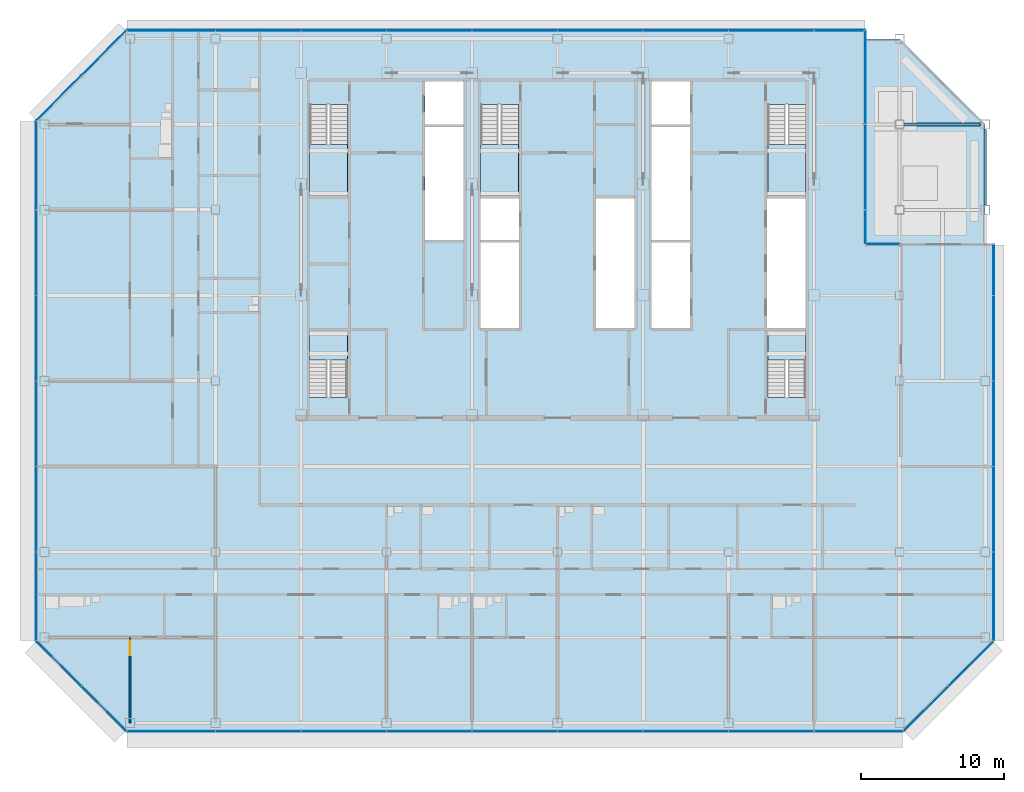
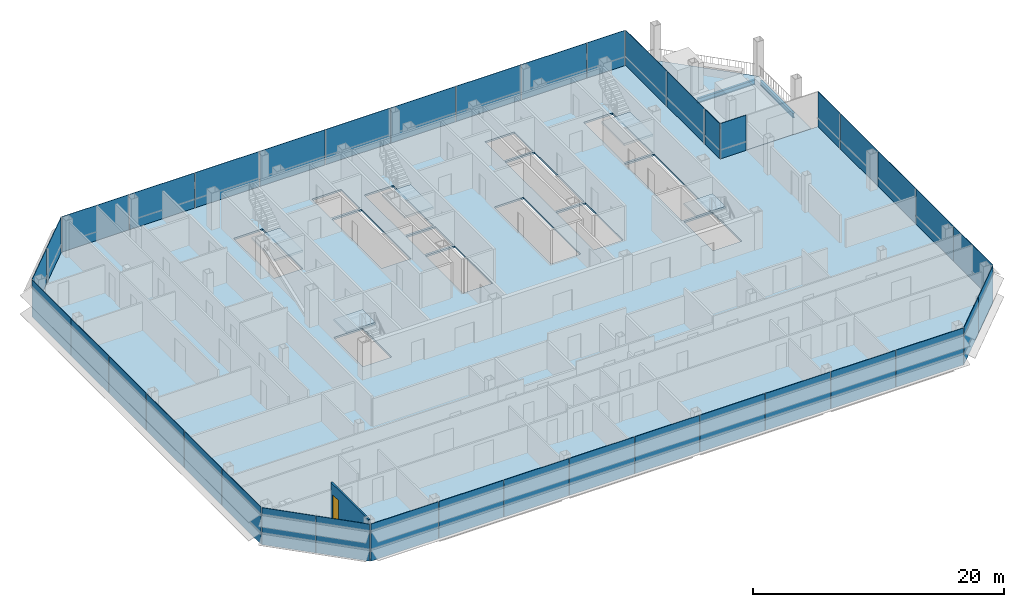
# One storey, part 19 of 29: 39 plates, 7 slabs, 2 beams, 1 door, 1 wall, 1 opening, 14 elements without a shape of their own.
"""IFC4 building model written with IfcOpenShell, lengths in metres."""

from ifc_helpers import new_model, si_unit, direction, frame, frame_2d, origin, origin_2d, place, context, subcontext, project, spatial, polyline, rectangle, i_section, outline, extrude, material, layer, layer_set, material_profile, profile_set, type_object, element, fill, aggregate, save


model = new_model("IFC4")

# Units and contexts
model_context = context("Model", 3, precision=1e-05, world=origin(), true_north=direction((0.0, 1.0)))
body_context = subcontext(model_context, "Body", "Model", "MODEL_VIEW")
ifc_project = project(units=[si_unit("LENGTHUNIT", "METRE"), si_unit("AREAUNIT", "SQUARE_METRE"), si_unit("VOLUMEUNIT", "CUBIC_METRE"), si_unit("PLANEANGLEUNIT", "RADIAN"), si_unit("MASSUNIT", "GRAM", prefix="KILO")], contexts=[model_context])

# Site, building, storey
site_placement = place(None, origin())
site = spatial("IfcSite", under=ifc_project, at=site_placement, CompositionType="ELEMENT")
building_placement = place(site_placement, origin())
building = spatial("IfcBuilding", under=site, at=building_placement, Name="Sorahane Residences", CompositionType="ELEMENT")
storey_placement = place(building_placement, frame((0.0, 0.0, 199.199951171875)))
storey = spatial("IfcBuildingStorey", under=building, at=storey_placement, Name="L46", CompositionType="ELEMENT", Elevation=199.199951171875)

# Beams
ifc_material_1 = material(Name="Steel Q355B", Category="steel")
ifc_material_profile = material_profile(ifc_material_1, i_section(OverallWidth=0.199951171875, OverallDepth=0.449951171875, WebThickness=0.009033203125, FlangeThickness=0.013916015625, FilletRadius=0.02001953125, at=origin_2d()), Name="HN 450x200x9x14")
ifc_profile_set = profile_set([ifc_material_profile], Name="Steel Q355B")
beam_type = type_object("IfcBeamType", Name="Steel floor beam HN 450x200x9x14 Q355B", PredefinedType="BEAM", material=ifc_profile_set)
beam_1_placement = place(storey_placement, frame((54.0, 36.35009765625, -0.405029296875), z_axis=(0.0, 1.0, 0.0), x_axis=(-1.0, 0.0, 0.0)))
element("IfcBeam", 1, at=beam_1_placement, inside=storey, type_object=beam_type, Name="Beam L46 064", PredefinedType="BEAM", context=body_context, shape_type="SweptSolid", body=[
    extrude(i_section(OverallWidth=0.199951171875, OverallDepth=0.449951171875, WebThickness=0.009033203125, FlangeThickness=0.013916015625, FilletRadius=0.02001953125, at=origin_2d()), origin(), (0.0, 0.0, 1.0), 5.2998046875),
])
beam_2_placement = place(storey_placement, frame((48.324951171875, 42.0, -0.405029296875), z_axis=(1.0, 0.0, 0.0), x_axis=(0.0, 1.0, 0.0)))
element("IfcBeam", 2, at=beam_2_placement, inside=storey, type_object=beam_type, Name="Beam L46 088", PredefinedType="BEAM", context=body_context, shape_type="SweptSolid", body=[
    extrude(i_section(OverallWidth=0.199951171875, OverallDepth=0.449951171875, WebThickness=0.009033203125, FlangeThickness=0.013916015625, FilletRadius=0.02001953125, at=origin_2d()), origin(), (0.0, 0.0, 1.0), 5.324951171875),
])

# Slab
ifc_material_2 = material(Name="Concrete C35", Category="concrete")
ifc_layer_1 = layer(ifc_material_2, 0.179931640625)
ifc_layer_set_1 = layer_set([ifc_layer_1], Name="Composite floor slab 180 mm Concrete C35")
slab_type_1 = type_object("IfcSlabType", Name="Composite floor slab 180 mm Concrete C35", PredefinedType="FLOOR", material=ifc_layer_set_1)
slab_1_placement = place(storey_placement, frame((0.0, 0.0, -0.179931640625)))
element("IfcSlab", 3, at=slab_1_placement, inside=storey, type_object=slab_type_1, Name="Slab L46", PredefinedType="FLOOR", context=body_context, shape_type="SweptSolid", body=[
    extrude(outline(polyline([(54.60009765625, 5.75146484375), (48.24853515625, -0.60009765625), (-6.24853515625, -0.60009765625), (-12.60009765625, 5.75146484375), (-12.60009765625, 42.24853515625), (-6.24853515625, 48.60009765625), (45.60009765625, 48.60009765625), (45.60009765625, 33.60009765625), (54.60009765625, 33.60009765625), (54.60009765625, 5.75146484375)]), holes=[polyline([(18.60009765625, 27.699951171875), (21.300048828125, 27.699951171875), (21.300048828125, 33.699951171875), (18.60009765625, 33.699951171875), (18.60009765625, 27.699951171875)]), polyline([(38.699951171875, 27.699951171875), (41.39990234375, 27.699951171875), (41.39990234375, 36.800048828125), (38.699951171875, 36.800048828125), (38.699951171875, 27.699951171875)]), polyline([(30.60009765625, 27.699951171875), (33.300048828125, 27.699951171875), (33.300048828125, 33.699951171875), (30.60009765625, 33.699951171875), (30.60009765625, 27.699951171875)]), polyline([(30.60009765625, 42.0), (33.300048828125, 42.0), (33.300048828125, 45.0), (30.60009765625, 45.0), (30.60009765625, 42.0)]), polyline([(14.699951171875, 42.0), (17.39990234375, 42.0), (17.39990234375, 45.0), (14.699951171875, 45.0), (14.699951171875, 42.0)]), polyline([(6.60009765625, 43.39990234375), (6.60009765625, 37.0), (9.25, 37.0), (9.25, 43.39990234375), (6.60009765625, 43.39990234375)]), polyline([(38.75, 43.39990234375), (38.75, 37.0), (41.39990234375, 37.0), (41.39990234375, 43.39990234375), (38.75, 43.39990234375)]), polyline([(18.60009765625, 43.39990234375), (18.60009765625, 37.0), (21.25, 37.0), (21.25, 43.39990234375), (18.60009765625, 43.39990234375)]), polyline([(9.25, 22.85009765625), (9.25, 27.5), (6.60009765625, 27.5), (6.60009765625, 22.85009765625), (9.25, 22.85009765625)]), polyline([(41.39990234375, 22.85009765625), (41.39990234375, 27.5), (38.75, 27.5), (38.75, 22.85009765625), (41.39990234375, 22.85009765625)]), polyline([(14.699951171875, 33.89990234375), (17.39990234375, 33.89990234375), (17.39990234375, 41.800048828125), (14.699951171875, 41.800048828125), (14.699951171875, 33.89990234375)]), polyline([(30.60009765625, 33.89990234375), (33.300048828125, 33.89990234375), (33.300048828125, 41.800048828125), (30.60009765625, 41.800048828125), (30.60009765625, 33.89990234375)]), polyline([(18.60009765625, 33.89990234375), (21.300048828125, 33.89990234375), (21.300048828125, 36.800048828125), (18.60009765625, 36.800048828125), (18.60009765625, 33.89990234375)]), polyline([(26.699951171875, 27.699951171875), (29.39990234375, 27.699951171875), (29.39990234375, 36.800048828125), (26.699951171875, 36.800048828125), (26.699951171875, 27.699951171875)])]), origin(), (0.0, 0.0, 1.0), 0.179931640625),
])

# Curtain wall, plates
ifc_material_3 = material(Name="Dark low-e glass and black anodised aluminium", Category="aluminium")
curtain_wall_type_1 = type_object("IfcCurtainWallType", Name="Curtain wall CW-1 Typical unitised wall", PredefinedType="NOTDEFINED", material=ifc_material_3)
curtain_wall_1_placement = place(storey_placement, origin())
curtain_wall_1 = element("IfcCurtainWall", 4, at=curtain_wall_1_placement, inside=storey, type_object=curtain_wall_type_1, Name="CW-1 curtain wall L46 E1", PredefinedType="NOTDEFINED")
ifc_material_4 = material(Name="Dark low-e glass with black ceramic frit", Category="glass")
ifc_layer_2 = layer(ifc_material_4, 0.0400390625)
ifc_layer_set_2 = layer_set([ifc_layer_2], Name="Curtain wall glass panel dark low-e with black frit spandrel band")
plate_type = type_object("IfcPlateType", Name="Curtain wall glass panel dark low-e with black frit spandrel band", PredefinedType="CURTAIN_PANEL", material=ifc_layer_set_2)
plate_1_placement = place(storey_placement, frame((54.60009765625, 8.88818359375, -0.179931640625), z_axis=(0.0, 0.0, 1.0), x_axis=(0.0, 1.0, 0.0)))
plate_1 = element("IfcPlate", 5, at=plate_1_placement, type_object=plate_type, Name="CW-1 glass panel L46 E1.1", PredefinedType="CURTAIN_PANEL", context=body_context, shape_type="SweptSolid", body=[
    extrude(rectangle(XDim=6.173583984375, YDim=0.0400390625, at=origin_2d()), origin(), (0.0, 0.0, 1.0), 3.60009765625),
])
plate_2_placement = place(storey_placement, frame((54.60009765625, 15.0, -0.179931640625), z_axis=(0.0, 0.0, 1.0), x_axis=(0.0, 1.0, 0.0)))
plate_2 = element("IfcPlate", 6, at=plate_2_placement, type_object=plate_type, Name="CW-1 glass panel L46 E1.2", PredefinedType="CURTAIN_PANEL", context=body_context, shape_type="SweptSolid", body=[
    extrude(rectangle(XDim=5.949951171875, YDim=0.0400390625, at=origin_2d()), origin(), (0.0, 0.0, 1.0), 3.60009765625),
])
plate_3_placement = place(storey_placement, frame((54.60009765625, 21.0, -0.179931640625), z_axis=(0.0, 0.0, 1.0), x_axis=(0.0, 1.0, 0.0)))
plate_3 = element("IfcPlate", 7, at=plate_3_placement, type_object=plate_type, Name="CW-1 glass panel L46 E1.3", PredefinedType="CURTAIN_PANEL", context=body_context, shape_type="SweptSolid", body=[
    extrude(rectangle(XDim=5.949951171875, YDim=0.0400390625, at=origin_2d()), origin(), (0.0, 0.0, 1.0), 3.60009765625),
])
plate_4_placement = place(storey_placement, frame((54.60009765625, 27.0, -0.179931640625), z_axis=(0.0, 0.0, 1.0), x_axis=(0.0, 1.0, 0.0)))
plate_4 = element("IfcPlate", 8, at=plate_4_placement, type_object=plate_type, Name="CW-1 glass panel L46 E1.4", PredefinedType="CURTAIN_PANEL", context=body_context, shape_type="SweptSolid", body=[
    extrude(rectangle(XDim=5.949951171875, YDim=0.0400390625, at=origin_2d()), origin(), (0.0, 0.0, 1.0), 3.60009765625),
])
plate_5_placement = place(storey_placement, frame((54.60009765625, 31.78759765625, -0.179931640625), z_axis=(0.0, 0.0, 1.0), x_axis=(0.0, 1.0, 0.0)))
plate_5 = element("IfcPlate", 9, at=plate_5_placement, type_object=plate_type, Name="CW-1 glass panel L46 E1.5", PredefinedType="CURTAIN_PANEL", context=body_context, shape_type="SweptSolid", body=[
    extrude(rectangle(XDim=3.52490234375, YDim=0.0400390625, at=origin_2d()), origin(), (0.0, 0.0, 1.0), 3.60009765625),
])
aggregate(curtain_wall_1, [plate_1, plate_2, plate_3, plate_4, plate_5])

# Curtain wall, plate
curtain_wall_2_placement = place(storey_placement, origin())
curtain_wall_2 = element("IfcCurtainWall", 10, at=curtain_wall_2_placement, inside=storey, type_object=curtain_wall_type_1, Name="CW-1 curtain wall L46 N1", PredefinedType="NOTDEFINED")
plate_6_placement = place(storey_placement, frame((46.8125, 33.60009765625, -0.179931640625), z_axis=(0.0, 0.0, 1.0), x_axis=(-1.0, 0.0, 0.0)))
plate_6 = element("IfcPlate", 11, at=plate_6_placement, type_object=plate_type, Name="CW-1 glass panel L46 N1.2", PredefinedType="CURTAIN_PANEL", context=body_context, shape_type="SweptSolid", body=[
    extrude(rectangle(XDim=2.324951171875, YDim=0.0400390625, at=origin_2d()), origin(), (0.0, 0.0, 1.0), 3.60009765625),
])
aggregate(curtain_wall_2, [plate_6])

# Curtain wall, plates
curtain_wall_3_placement = place(storey_placement, origin())
curtain_wall_3 = element("IfcCurtainWall", 12, at=curtain_wall_3_placement, inside=storey, type_object=curtain_wall_type_1, Name="CW-1 curtain wall L46 E2", PredefinedType="NOTDEFINED")
plate_7_placement = place(storey_placement, frame((45.60009765625, 34.8125, -0.179931640625), z_axis=(0.0, 0.0, 1.0), x_axis=(0.0, 1.0, 0.0)))
plate_7 = element("IfcPlate", 13, at=plate_7_placement, type_object=plate_type, Name="CW-1 glass panel L46 E2.1", PredefinedType="CURTAIN_PANEL", context=body_context, shape_type="SweptSolid", body=[
    extrude(rectangle(XDim=2.324951171875, YDim=0.0400390625, at=origin_2d()), origin(), (0.0, 0.0, 1.0), 3.60009765625),
])
plate_8_placement = place(storey_placement, frame((45.60009765625, 39.0, -0.179931640625), z_axis=(0.0, 0.0, 1.0), x_axis=(0.0, 1.0, 0.0)))
plate_8 = element("IfcPlate", 14, at=plate_8_placement, type_object=plate_type, Name="CW-1 glass panel L46 E2.2", PredefinedType="CURTAIN_PANEL", context=body_context, shape_type="SweptSolid", body=[
    extrude(rectangle(XDim=5.949951171875, YDim=0.0400390625, at=origin_2d()), origin(), (0.0, 0.0, 1.0), 3.60009765625),
])
plate_9_placement = place(storey_placement, frame((45.60009765625, 45.28759765625, -0.179931640625), z_axis=(0.0, 0.0, 1.0), x_axis=(0.0, 1.0, 0.0)))
plate_9 = element("IfcPlate", 15, at=plate_9_placement, type_object=plate_type, Name="CW-1 glass panel L46 E2.3", PredefinedType="CURTAIN_PANEL", context=body_context, shape_type="SweptSolid", body=[
    extrude(rectangle(XDim=6.52490234375, YDim=0.0400390625, at=origin_2d()), origin(), (0.0, 0.0, 1.0), 3.60009765625),
])
aggregate(curtain_wall_3, [plate_7, plate_8, plate_9])

curtain_wall_4_placement = place(storey_placement, origin())
curtain_wall_4 = element("IfcCurtainWall", 16, at=curtain_wall_4_placement, inside=storey, type_object=curtain_wall_type_1, Name="CW-1 curtain wall L46 N2", PredefinedType="NOTDEFINED")
plate_10_placement = place(storey_placement, frame((43.78759765625, 48.60009765625, -0.179931640625), z_axis=(0.0, 0.0, 1.0), x_axis=(-1.0, 0.0, 0.0)))
plate_10 = element("IfcPlate", 17, at=plate_10_placement, type_object=plate_type, Name="CW-1 glass panel L46 N2.1", PredefinedType="CURTAIN_PANEL", context=body_context, shape_type="SweptSolid", body=[
    extrude(rectangle(XDim=3.52490234375, YDim=0.0400390625, at=origin_2d()), origin(), (0.0, 0.0, 1.0), 3.60009765625),
])
plate_11_placement = place(storey_placement, frame((39.0, 48.60009765625, -0.179931640625), z_axis=(0.0, 0.0, 1.0), x_axis=(-1.0, 0.0, 0.0)))
plate_11 = element("IfcPlate", 18, at=plate_11_placement, type_object=plate_type, Name="CW-1 glass panel L46 N2.2", PredefinedType="CURTAIN_PANEL", context=body_context, shape_type="SweptSolid", body=[
    extrude(rectangle(XDim=5.949951171875, YDim=0.0400390625, at=origin_2d()), origin(), (0.0, 0.0, 1.0), 3.60009765625),
])
plate_12_placement = place(storey_placement, frame((33.0, 48.60009765625, -0.179931640625), z_axis=(0.0, 0.0, 1.0), x_axis=(-1.0, 0.0, 0.0)))
plate_12 = element("IfcPlate", 19, at=plate_12_placement, type_object=plate_type, Name="CW-1 glass panel L46 N2.3", PredefinedType="CURTAIN_PANEL", context=body_context, shape_type="SweptSolid", body=[
    extrude(rectangle(XDim=5.949951171875, YDim=0.0400390625, at=origin_2d()), origin(), (0.0, 0.0, 1.0), 3.60009765625),
])
plate_13_placement = place(storey_placement, frame((27.0, 48.60009765625, -0.179931640625), z_axis=(0.0, 0.0, 1.0), x_axis=(-1.0, 0.0, 0.0)))
plate_13 = element("IfcPlate", 20, at=plate_13_placement, type_object=plate_type, Name="CW-1 glass panel L46 N2.4", PredefinedType="CURTAIN_PANEL", context=body_context, shape_type="SweptSolid", body=[
    extrude(rectangle(XDim=5.949951171875, YDim=0.0400390625, at=origin_2d()), origin(), (0.0, 0.0, 1.0), 3.60009765625),
])
plate_14_placement = place(storey_placement, frame((21.0, 48.60009765625, -0.179931640625), z_axis=(0.0, 0.0, 1.0), x_axis=(-1.0, 0.0, 0.0)))
plate_14 = element("IfcPlate", 21, at=plate_14_placement, type_object=plate_type, Name="CW-1 glass panel L46 N2.5", PredefinedType="CURTAIN_PANEL", context=body_context, shape_type="SweptSolid", body=[
    extrude(rectangle(XDim=5.949951171875, YDim=0.0400390625, at=origin_2d()), origin(), (0.0, 0.0, 1.0), 3.60009765625),
])
plate_15_placement = place(storey_placement, frame((15.0, 48.60009765625, -0.179931640625), z_axis=(0.0, 0.0, 1.0), x_axis=(-1.0, 0.0, 0.0)))
plate_15 = element("IfcPlate", 22, at=plate_15_placement, type_object=plate_type, Name="CW-1 glass panel L46 N2.6", PredefinedType="CURTAIN_PANEL", context=body_context, shape_type="SweptSolid", body=[
    extrude(rectangle(XDim=5.949951171875, YDim=0.0400390625, at=origin_2d()), origin(), (0.0, 0.0, 1.0), 3.60009765625),
])
plate_16_placement = place(storey_placement, frame((9.0, 48.60009765625, -0.179931640625), z_axis=(0.0, 0.0, 1.0), x_axis=(-1.0, 0.0, 0.0)))
plate_16 = element("IfcPlate", 23, at=plate_16_placement, type_object=plate_type, Name="CW-1 glass panel L46 N2.7", PredefinedType="CURTAIN_PANEL", context=body_context, shape_type="SweptSolid", body=[
    extrude(rectangle(XDim=5.949951171875, YDim=0.0400390625, at=origin_2d()), origin(), (0.0, 0.0, 1.0), 3.60009765625),
])
plate_17_placement = place(storey_placement, frame((3.0, 48.60009765625, -0.179931640625), z_axis=(0.0, 0.0, 1.0), x_axis=(-1.0, 0.0, 0.0)))
plate_17 = element("IfcPlate", 24, at=plate_17_placement, type_object=plate_type, Name="CW-1 glass panel L46 N2.8", PredefinedType="CURTAIN_PANEL", context=body_context, shape_type="SweptSolid", body=[
    extrude(rectangle(XDim=5.949951171875, YDim=0.0400390625, at=origin_2d()), origin(), (0.0, 0.0, 1.0), 3.60009765625),
])
plate_18_placement = place(storey_placement, frame((-3.11181640625, 48.60009765625, -0.179931640625), z_axis=(0.0, 0.0, 1.0), x_axis=(-1.0, 0.0, 0.0)))
plate_18 = element("IfcPlate", 25, at=plate_18_placement, type_object=plate_type, Name="CW-1 glass panel L46 N2.9", PredefinedType="CURTAIN_PANEL", context=body_context, shape_type="SweptSolid", body=[
    extrude(rectangle(XDim=6.173583984375, YDim=0.0400390625, at=origin_2d()), origin(), (0.0, 0.0, 1.0), 3.60009765625),
])
aggregate(curtain_wall_4, [plate_10, plate_11, plate_12, plate_13, plate_14, plate_15, plate_16, plate_17, plate_18])

ifc_material_5 = material(Name="Dark low-e glass and black anodised aluminium", Category="aluminium")
curtain_wall_type_2 = type_object("IfcCurtainWallType", Name="Curtain wall CW-2 Chamfer unitised wall", PredefinedType="NOTDEFINED", material=ifc_material_5)
curtain_wall_5_placement = place(storey_placement, origin())
curtain_wall_5 = element("IfcCurtainWall", 26, at=curtain_wall_5_placement, inside=storey, type_object=curtain_wall_type_2, Name="CW-2 curtain wall L46 NW1", PredefinedType="NOTDEFINED")
plate_19_placement = place(storey_placement, frame((-7.84521484375, 47.003173828125, -0.179931640625), z_axis=(0.0, 0.0, 1.0), x_axis=(-0.707106781187, -0.707106781187, 0.0)))
plate_19 = element("IfcPlate", 27, at=plate_19_placement, type_object=plate_type, Name="CW-2 glass panel L46 NW1.1", PredefinedType="CURTAIN_PANEL", context=body_context, shape_type="SweptSolid", body=[
    extrude(rectangle(XDim=4.416259765625, YDim=0.0400390625, at=origin_2d()), origin(), (0.0, 0.0, 1.0), 3.60009765625),
])
plate_20_placement = place(storey_placement, frame((-11.003173828125, 43.84521484375, -0.179931640625), z_axis=(0.0, 0.0, 1.0), x_axis=(-0.707106781187, -0.707106781187, 0.0)))
plate_20 = element("IfcPlate", 28, at=plate_20_placement, type_object=plate_type, Name="CW-2 glass panel L46 NW1.2", PredefinedType="CURTAIN_PANEL", context=body_context, shape_type="SweptSolid", body=[
    extrude(rectangle(XDim=4.416259765625, YDim=0.0400390625, at=origin_2d()), origin(), (0.0, 0.0, 1.0), 3.60009765625),
])
aggregate(curtain_wall_5, [plate_19, plate_20])

curtain_wall_6_placement = place(storey_placement, origin())
curtain_wall_6 = element("IfcCurtainWall", 29, at=curtain_wall_6_placement, inside=storey, type_object=curtain_wall_type_1, Name="CW-1 curtain wall L46 W1", PredefinedType="NOTDEFINED")
plate_21_placement = place(storey_placement, frame((-12.60009765625, 39.11181640625, -0.179931640625), z_axis=(0.0, 0.0, 1.0), x_axis=(0.0, -1.0, 0.0)))
plate_21 = element("IfcPlate", 30, at=plate_21_placement, type_object=plate_type, Name="CW-1 glass panel L46 W1.1", PredefinedType="CURTAIN_PANEL", context=body_context, shape_type="SweptSolid", body=[
    extrude(rectangle(XDim=6.173583984375, YDim=0.0400390625, at=origin_2d()), origin(), (0.0, 0.0, 1.0), 3.60009765625),
])
plate_22_placement = place(storey_placement, frame((-12.60009765625, 33.0, -0.179931640625), z_axis=(0.0, 0.0, 1.0), x_axis=(0.0, -1.0, 0.0)))
plate_22 = element("IfcPlate", 31, at=plate_22_placement, type_object=plate_type, Name="CW-1 glass panel L46 W1.2", PredefinedType="CURTAIN_PANEL", context=body_context, shape_type="SweptSolid", body=[
    extrude(rectangle(XDim=5.949951171875, YDim=0.0400390625, at=origin_2d()), origin(), (0.0, 0.0, 1.0), 3.60009765625),
])
plate_23_placement = place(storey_placement, frame((-12.60009765625, 27.0, -0.179931640625), z_axis=(0.0, 0.0, 1.0), x_axis=(0.0, -1.0, 0.0)))
plate_23 = element("IfcPlate", 32, at=plate_23_placement, type_object=plate_type, Name="CW-1 glass panel L46 W1.3", PredefinedType="CURTAIN_PANEL", context=body_context, shape_type="SweptSolid", body=[
    extrude(rectangle(XDim=5.949951171875, YDim=0.0400390625, at=origin_2d()), origin(), (0.0, 0.0, 1.0), 3.60009765625),
])
plate_24_placement = place(storey_placement, frame((-12.60009765625, 21.0, -0.179931640625), z_axis=(0.0, 0.0, 1.0), x_axis=(0.0, -1.0, 0.0)))
plate_24 = element("IfcPlate", 33, at=plate_24_placement, type_object=plate_type, Name="CW-1 glass panel L46 W1.4", PredefinedType="CURTAIN_PANEL", context=body_context, shape_type="SweptSolid", body=[
    extrude(rectangle(XDim=5.949951171875, YDim=0.0400390625, at=origin_2d()), origin(), (0.0, 0.0, 1.0), 3.60009765625),
])
plate_25_placement = place(storey_placement, frame((-12.60009765625, 15.0, -0.179931640625), z_axis=(0.0, 0.0, 1.0), x_axis=(0.0, -1.0, 0.0)))
plate_25 = element("IfcPlate", 34, at=plate_25_placement, type_object=plate_type, Name="CW-1 glass panel L46 W1.5", PredefinedType="CURTAIN_PANEL", context=body_context, shape_type="SweptSolid", body=[
    extrude(rectangle(XDim=5.949951171875, YDim=0.0400390625, at=origin_2d()), origin(), (0.0, 0.0, 1.0), 3.60009765625),
])
plate_26_placement = place(storey_placement, frame((-12.60009765625, 8.88818359375, -0.179931640625), z_axis=(0.0, 0.0, 1.0), x_axis=(0.0, -1.0, 0.0)))
plate_26 = element("IfcPlate", 35, at=plate_26_placement, type_object=plate_type, Name="CW-1 glass panel L46 W1.6", PredefinedType="CURTAIN_PANEL", context=body_context, shape_type="SweptSolid", body=[
    extrude(rectangle(XDim=6.173583984375, YDim=0.0400390625, at=origin_2d()), origin(), (0.0, 0.0, 1.0), 3.60009765625),
])
aggregate(curtain_wall_6, [plate_21, plate_22, plate_23, plate_24, plate_25, plate_26])

curtain_wall_7_placement = place(storey_placement, origin())
curtain_wall_7 = element("IfcCurtainWall", 36, at=curtain_wall_7_placement, inside=storey, type_object=curtain_wall_type_2, Name="CW-2 curtain wall L46 SW1", PredefinedType="NOTDEFINED")
plate_27_placement = place(storey_placement, frame((-11.003173828125, 4.15478515625, -0.179931640625), z_axis=(0.0, 0.0, 1.0), x_axis=(0.707106781187, -0.707106781187, 0.0)))
plate_27 = element("IfcPlate", 37, at=plate_27_placement, type_object=plate_type, Name="CW-2 glass panel L46 SW1.1", PredefinedType="CURTAIN_PANEL", context=body_context, shape_type="SweptSolid", body=[
    extrude(rectangle(XDim=4.416259765625, YDim=0.0400390625, at=origin_2d()), origin(), (0.0, 0.0, 1.0), 3.60009765625),
])
plate_28_placement = place(storey_placement, frame((-7.84521484375, 0.996826171875, -0.179931640625), z_axis=(0.0, 0.0, 1.0), x_axis=(0.707106781187, -0.707106781187, 0.0)))
plate_28 = element("IfcPlate", 38, at=plate_28_placement, type_object=plate_type, Name="CW-2 glass panel L46 SW1.2", PredefinedType="CURTAIN_PANEL", context=body_context, shape_type="SweptSolid", body=[
    extrude(rectangle(XDim=4.416259765625, YDim=0.0400390625, at=origin_2d()), origin(), (0.0, 0.0, 1.0), 3.60009765625),
])
aggregate(curtain_wall_7, [plate_27, plate_28])

curtain_wall_8_placement = place(storey_placement, origin())
curtain_wall_8 = element("IfcCurtainWall", 39, at=curtain_wall_8_placement, inside=storey, type_object=curtain_wall_type_1, Name="CW-1 curtain wall L46 S1", PredefinedType="NOTDEFINED")
plate_29_placement = place(storey_placement, frame((-3.11181640625, -0.60009765625, -0.179931640625), z_axis=(0.0, 0.0, 1.0), x_axis=(1.0, 0.0, 0.0)))
plate_29 = element("IfcPlate", 40, at=plate_29_placement, type_object=plate_type, Name="CW-1 glass panel L46 S1.1", PredefinedType="CURTAIN_PANEL", context=body_context, shape_type="SweptSolid", body=[
    extrude(rectangle(XDim=6.173583984375, YDim=0.0400390625, at=origin_2d()), origin(), (0.0, 0.0, 1.0), 3.60009765625),
])
plate_30_placement = place(storey_placement, frame((3.0, -0.60009765625, -0.179931640625), z_axis=(0.0, 0.0, 1.0), x_axis=(1.0, 0.0, 0.0)))
plate_30 = element("IfcPlate", 41, at=plate_30_placement, type_object=plate_type, Name="CW-1 glass panel L46 S1.2", PredefinedType="CURTAIN_PANEL", context=body_context, shape_type="SweptSolid", body=[
    extrude(rectangle(XDim=5.949951171875, YDim=0.0400390625, at=origin_2d()), origin(), (0.0, 0.0, 1.0), 3.60009765625),
])
plate_31_placement = place(storey_placement, frame((9.0, -0.60009765625, -0.179931640625), z_axis=(0.0, 0.0, 1.0), x_axis=(1.0, 0.0, 0.0)))
plate_31 = element("IfcPlate", 42, at=plate_31_placement, type_object=plate_type, Name="CW-1 glass panel L46 S1.3", PredefinedType="CURTAIN_PANEL", context=body_context, shape_type="SweptSolid", body=[
    extrude(rectangle(XDim=5.949951171875, YDim=0.0400390625, at=origin_2d()), origin(), (0.0, 0.0, 1.0), 3.60009765625),
])
plate_32_placement = place(storey_placement, frame((15.0, -0.60009765625, -0.179931640625), z_axis=(0.0, 0.0, 1.0), x_axis=(1.0, 0.0, 0.0)))
plate_32 = element("IfcPlate", 43, at=plate_32_placement, type_object=plate_type, Name="CW-1 glass panel L46 S1.4", PredefinedType="CURTAIN_PANEL", context=body_context, shape_type="SweptSolid", body=[
    extrude(rectangle(XDim=5.949951171875, YDim=0.0400390625, at=origin_2d()), origin(), (0.0, 0.0, 1.0), 3.60009765625),
])
plate_33_placement = place(storey_placement, frame((21.0, -0.60009765625, -0.179931640625), z_axis=(0.0, 0.0, 1.0), x_axis=(1.0, 0.0, 0.0)))
plate_33 = element("IfcPlate", 44, at=plate_33_placement, type_object=plate_type, Name="CW-1 glass panel L46 S1.5", PredefinedType="CURTAIN_PANEL", context=body_context, shape_type="SweptSolid", body=[
    extrude(rectangle(XDim=5.949951171875, YDim=0.0400390625, at=origin_2d()), origin(), (0.0, 0.0, 1.0), 3.60009765625),
])
plate_34_placement = place(storey_placement, frame((27.0, -0.60009765625, -0.179931640625), z_axis=(0.0, 0.0, 1.0), x_axis=(1.0, 0.0, 0.0)))
plate_34 = element("IfcPlate", 45, at=plate_34_placement, type_object=plate_type, Name="CW-1 glass panel L46 S1.6", PredefinedType="CURTAIN_PANEL", context=body_context, shape_type="SweptSolid", body=[
    extrude(rectangle(XDim=5.949951171875, YDim=0.0400390625, at=origin_2d()), origin(), (0.0, 0.0, 1.0), 3.60009765625),
])
plate_35_placement = place(storey_placement, frame((33.0, -0.60009765625, -0.179931640625), z_axis=(0.0, 0.0, 1.0), x_axis=(1.0, 0.0, 0.0)))
plate_35 = element("IfcPlate", 46, at=plate_35_placement, type_object=plate_type, Name="CW-1 glass panel L46 S1.7", PredefinedType="CURTAIN_PANEL", context=body_context, shape_type="SweptSolid", body=[
    extrude(rectangle(XDim=5.949951171875, YDim=0.0400390625, at=origin_2d()), origin(), (0.0, 0.0, 1.0), 3.60009765625),
])
plate_36_placement = place(storey_placement, frame((39.0, -0.60009765625, -0.179931640625), z_axis=(0.0, 0.0, 1.0), x_axis=(1.0, 0.0, 0.0)))
plate_36 = element("IfcPlate", 47, at=plate_36_placement, type_object=plate_type, Name="CW-1 glass panel L46 S1.8", PredefinedType="CURTAIN_PANEL", context=body_context, shape_type="SweptSolid", body=[
    extrude(rectangle(XDim=5.949951171875, YDim=0.0400390625, at=origin_2d()), origin(), (0.0, 0.0, 1.0), 3.60009765625),
])
plate_37_placement = place(storey_placement, frame((45.11181640625, -0.60009765625, -0.179931640625), z_axis=(0.0, 0.0, 1.0), x_axis=(1.0, 0.0, 0.0)))
plate_37 = element("IfcPlate", 48, at=plate_37_placement, type_object=plate_type, Name="CW-1 glass panel L46 S1.9", PredefinedType="CURTAIN_PANEL", context=body_context, shape_type="SweptSolid", body=[
    extrude(rectangle(XDim=6.173583984375, YDim=0.0400390625, at=origin_2d()), origin(), (0.0, 0.0, 1.0), 3.60009765625),
])
aggregate(curtain_wall_8, [plate_29, plate_30, plate_31, plate_32, plate_33, plate_34, plate_35, plate_36, plate_37])

curtain_wall_9_placement = place(storey_placement, origin())
curtain_wall_9 = element("IfcCurtainWall", 49, at=curtain_wall_9_placement, inside=storey, type_object=curtain_wall_type_2, Name="CW-2 curtain wall L46 SE1", PredefinedType="NOTDEFINED")
plate_38_placement = place(storey_placement, frame((49.84521484375, 0.996826171875, -0.179931640625), z_axis=(0.0, 0.0, 1.0), x_axis=(0.707106781187, 0.707106781187, 0.0)))
plate_38 = element("IfcPlate", 50, at=plate_38_placement, type_object=plate_type, Name="CW-2 glass panel L46 SE1.1", PredefinedType="CURTAIN_PANEL", context=body_context, shape_type="SweptSolid", body=[
    extrude(rectangle(XDim=4.416259765625, YDim=0.0400390625, at=origin_2d()), origin(), (0.0, 0.0, 1.0), 3.60009765625),
])
plate_39_placement = place(storey_placement, frame((53.003173828125, 4.15478515625, -0.179931640625), z_axis=(0.0, 0.0, 1.0), x_axis=(0.707106781187, 0.707106781187, 0.0)))
plate_39 = element("IfcPlate", 51, at=plate_39_placement, type_object=plate_type, Name="CW-2 glass panel L46 SE1.2", PredefinedType="CURTAIN_PANEL", context=body_context, shape_type="SweptSolid", body=[
    extrude(rectangle(XDim=4.416259765625, YDim=0.0400390625, at=origin_2d()), origin(), (0.0, 0.0, 1.0), 3.60009765625),
])
aggregate(curtain_wall_9, [plate_38, plate_39])

# Stair, slab
ifc_material_6 = material(Name="Concrete C40", Category="concrete")
stair_type = type_object("IfcStairType", Name="Dog-leg stair 1250 Concrete C40", PredefinedType="HALF_TURN_STAIR", material=ifc_material_6)
stair_1_placement = place(storey_placement, origin())
stair_1 = element("IfcStair", 52, at=stair_1_placement, inside=storey, type_object=stair_type, Name="L46 Stair S1", PredefinedType="HALF_TURN_STAIR")
ifc_material_7 = material(Name="Concrete C40", Category="concrete")
ifc_layer_3 = layer(ifc_material_7, 0.199951171875)
ifc_layer_set_3 = layer_set([ifc_layer_3], Name="Stair landing 200 Concrete C40")
slab_type_2 = type_object("IfcSlabType", Name="Stair landing 200 Concrete C40", PredefinedType="LANDING", material=ifc_layer_set_3)
slab_2_placement = place(storey_placement, frame((0.0, 0.0, 1.60009765625)))
slab_2 = element("IfcSlab", 53, at=slab_2_placement, type_object=slab_type_2, Name="S1 landing 1", PredefinedType="LANDING", context=body_context, shape_type="SweptSolid", body=[
    extrude(outline(polyline([(6.60009765625, 40.60009765625), (6.60009765625, 37.0), (9.25, 37.0), (9.25, 40.60009765625), (6.60009765625, 40.60009765625)])), origin(), (0.0, 0.0, 1.0), 0.199951171875),
])
aggregate(stair_1, [slab_2])

stair_2_placement = place(storey_placement, origin())
stair_2 = element("IfcStair", 54, at=stair_2_placement, inside=storey, type_object=stair_type, Name="L46 Stair S2", PredefinedType="HALF_TURN_STAIR")
slab_3_placement = place(storey_placement, frame((0.0, 0.0, 1.60009765625)))
slab_3 = element("IfcSlab", 55, at=slab_3_placement, type_object=slab_type_2, Name="S2 landing 1", PredefinedType="LANDING", context=body_context, shape_type="SweptSolid", body=[
    extrude(outline(polyline([(38.75, 40.60009765625), (38.75, 37.0), (41.39990234375, 37.0), (41.39990234375, 40.60009765625), (38.75, 40.60009765625)])), origin(), (0.0, 0.0, 1.0), 0.199951171875),
])
aggregate(stair_2, [slab_3])

stair_3_placement = place(storey_placement, origin())
stair_3 = element("IfcStair", 56, at=stair_3_placement, inside=storey, type_object=stair_type, Name="L46 Stair S3", PredefinedType="HALF_TURN_STAIR")
slab_4_placement = place(storey_placement, frame((0.0, 0.0, 1.60009765625)))
slab_4 = element("IfcSlab", 57, at=slab_4_placement, type_object=slab_type_2, Name="S3 landing 1", PredefinedType="LANDING", context=body_context, shape_type="SweptSolid", body=[
    extrude(outline(polyline([(18.60009765625, 40.60009765625), (18.60009765625, 37.0), (21.25, 37.0), (21.25, 40.60009765625), (18.60009765625, 40.60009765625)])), origin(), (0.0, 0.0, 1.0), 0.199951171875),
])
aggregate(stair_3, [slab_4])

stair_4_placement = place(storey_placement, origin())
stair_4 = element("IfcStair", 58, at=stair_4_placement, inside=storey, type_object=stair_type, Name="L46 Stair S4", PredefinedType="HALF_TURN_STAIR")
slab_5_placement = place(storey_placement, frame((0.0, 0.0, 1.60009765625)))
slab_5 = element("IfcSlab", 59, at=slab_5_placement, type_object=slab_type_2, Name="S4 landing 1", PredefinedType="LANDING", context=body_context, shape_type="SweptSolid", body=[
    extrude(outline(polyline([(9.25, 25.449951171875), (9.25, 27.5), (6.60009765625, 27.5), (6.60009765625, 25.449951171875), (9.25, 25.449951171875)])), origin(), (0.0, 0.0, 1.0), 0.199951171875),
])
aggregate(stair_4, [slab_5])

stair_5_placement = place(storey_placement, origin())
stair_5 = element("IfcStair", 60, at=stair_5_placement, inside=storey, type_object=stair_type, Name="L46 Stair S5", PredefinedType="HALF_TURN_STAIR")
slab_6_placement = place(storey_placement, frame((0.0, 0.0, 1.60009765625)))
slab_6 = element("IfcSlab", 61, at=slab_6_placement, type_object=slab_type_2, Name="S5 landing 1", PredefinedType="LANDING", context=body_context, shape_type="SweptSolid", body=[
    extrude(outline(polyline([(41.39990234375, 25.449951171875), (41.39990234375, 27.5), (38.75, 27.5), (38.75, 25.449951171875), (41.39990234375, 25.449951171875)])), origin(), (0.0, 0.0, 1.0), 0.199951171875),
])
aggregate(stair_5, [slab_6])

# Slab
ifc_material_8 = material(Name="Concrete C35", Category="concrete")
ifc_layer_4 = layer(ifc_material_8, 0.179931640625)
ifc_layer_set_4 = layer_set([ifc_layer_4], Name="Terrace slab Concrete C35 paved")
slab_type_3 = type_object("IfcSlabType", Name="Terrace slab Concrete C35 paved", PredefinedType="FLOOR", material=ifc_layer_set_4)
slab_7_placement = place(storey_placement, frame((0.0, 0.0, -0.179931640625)))
element("IfcSlab", 62, at=slab_7_placement, inside=storey, type_object=slab_type_3, Name="Terrace slab L46.1", PredefinedType="FLOOR", context=body_context, shape_type="SweptSolid", body=[
    extrude(outline(polyline([(48.0, 48.0), (54.0, 42.0), (54.0, 33.60009765625), (45.60009765625, 33.60009765625), (45.60009765625, 48.0), (48.0, 48.0)])), origin(), (0.0, 0.0, 1.0), 0.179931640625),
])

# Wall, opening, door
ifc_material_9 = material(Name="Gypsum board partition on steel studs", Category="steel")
ifc_layer_5 = layer(ifc_material_9, 0.14990234375)
ifc_layer_set_5 = layer_set([ifc_layer_5], Name="Partition 150 EI 90")
wall_type = type_object("IfcWallType", Name="Partition 150 EI 90", PredefinedType="PARTITIONING", material=ifc_layer_set_5)
wall_placement = place(storey_placement, frame((-6.0, 0.0, 0.0), z_axis=(0.0, 0.0, 1.0), x_axis=(0.0, 1.0, 0.0)))
wall = element("IfcWall", 63, at=wall_placement, inside=storey, type_object=wall_type, Name="L46 partition", PredefinedType="PARTITIONING", context=body_context, shape_type="SweptSolid", body=[
    extrude(rectangle(XDim=6.0, YDim=0.14990234375, at=frame_2d((3.0, 0.0))), origin(), (0.0, 0.0, 1.0), 3.420166015625),
])
opening_placement = place(wall_placement, frame((4.75, 0.0, 0.0)))
opening = element("IfcOpeningElement", 64, at=opening_placement, cuts=wall, Name="Opening L46-11", PredefinedType="OPENING", context=body_context, shape_type="SweptSolid", body=[
    extrude(rectangle(XDim=1.0, YDim=2.39990234375, at=frame_2d((0.5, 1.199951171875))), frame((0.0, 0.0849609375, 0.0), z_axis=(0.0, -1.0, 0.0), x_axis=(1.0, 0.0, 0.0)), (0.0, 0.0, 1.0), 0.169921875),
])
ifc_material_10 = material(Name="Timber veneered fire door", Category="wood")
door_type = type_object("IfcDoorType", Name="Room door 1000x2400 FD30", OperationType="NOTDEFINED", PredefinedType="DOOR", material=ifc_material_10)
door_placement = place(opening_placement, origin())
door = element("IfcDoor", 65, at=door_placement, inside=storey, type_object=door_type, Name="Room door L46-11", OperationType="SINGLE_SWING_RIGHT", OverallHeight=2.39990234375, OverallWidth=1.0, PredefinedType="DOOR", context=body_context, shape_type="SweptSolid", body=[
    extrude(rectangle(XDim=1.0, YDim=2.39990234375, at=frame_2d((0.5, 1.199951171875))), frame((0.0, 0.02490234375, 0.0), z_axis=(0.0, -1.0, 0.0), x_axis=(1.0, 0.0, 0.0)), (0.0, 0.0, 1.0), 0.050048828125),
])
fill(opening, door)

save(model, "model.ifc")
